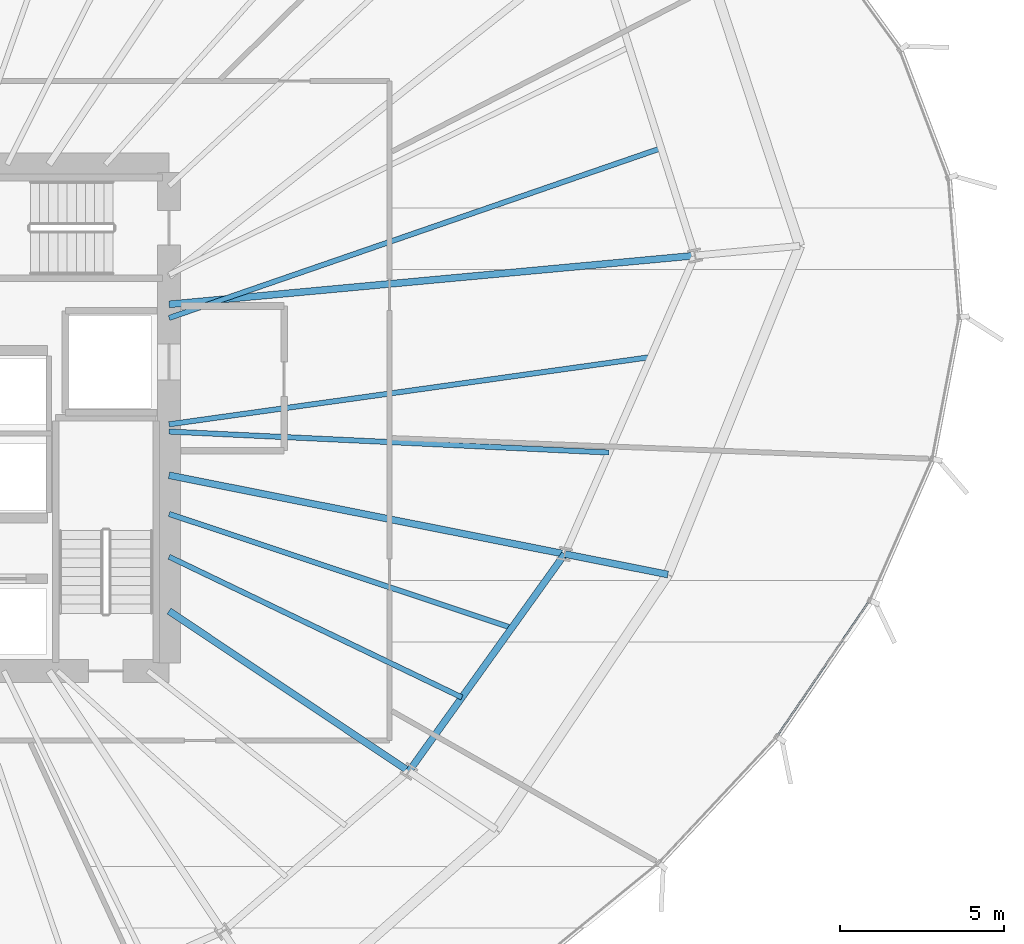
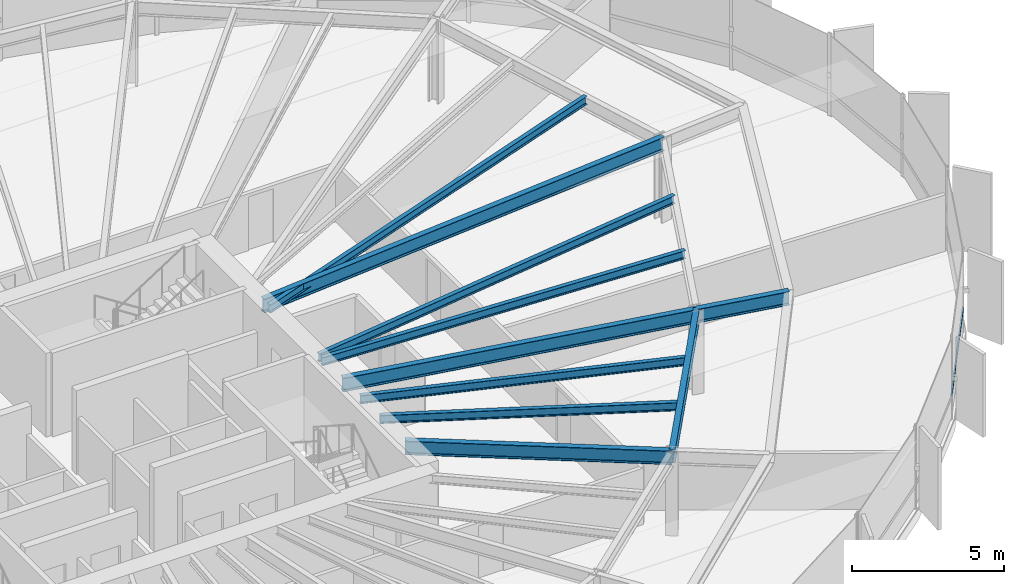
# One storey, part 14 of 35: 10 beams, 1 member, 1 element without a shape of its own.
"""IFC4 building model written with IfcOpenShell, lengths in metres."""

from ifc_helpers import new_model, si_unit, direction, frame, origin, origin_2d, place, context, subcontext, project, spatial, hollow_rectangle, i_section, extrude, source, transform, mapped, material, layer, layer_set, material_profile, profile_set, type_object, element, aggregate, save


model = new_model("IFC4")

# Units and contexts
model_context = context("Model", 3, precision=1e-05, world=origin(), true_north=direction((0.0, 1.0)))
body_context = subcontext(model_context, "Body", "Model", "MODEL_VIEW")
ifc_project = project(units=[si_unit("LENGTHUNIT", "METRE"), si_unit("AREAUNIT", "SQUARE_METRE"), si_unit("VOLUMEUNIT", "CUBIC_METRE"), si_unit("PLANEANGLEUNIT", "RADIAN"), si_unit("MASSUNIT", "GRAM", prefix="KILO"), si_unit("THERMODYNAMICTEMPERATUREUNIT", "KELVIN")], contexts=[model_context])

# Site, building, storey
site_placement = place(None, origin())
site = spatial("IfcSite", under=ifc_project, at=site_placement, CompositionType="ELEMENT")
building_placement = place(site_placement, origin())
building = spatial("IfcBuilding", under=site, at=building_placement, Name="Kethvar Cultural Tower", CompositionType="ELEMENT")
storey_placement = place(building_placement, frame((0.0, 0.0, 85.60009765625)))
storey = spatial("IfcBuildingStorey", under=building, at=storey_placement, Name="L20", CompositionType="ELEMENT", Elevation=85.60009765625)

# Beams
ifc_material_1 = material(Name="Steel S355J2", Category="steel")
ifc_material_profile_1 = material_profile(ifc_material_1, i_section(OverallWidth=0.2099609375, OverallDepth=0.550048828125, WebThickness=0.010986328125, FlangeThickness=0.01708984375, FilletRadius=0.02392578125, at=origin_2d()), Name="Steel S355J2 — IPE550")
ifc_profile_set_1 = profile_set([ifc_material_profile_1], Name="Steel S355J2 — IPE550")
beam_type_1 = type_object("IfcBeamType", Name="BM-IPE550", PredefinedType="BEAM", material=ifc_profile_set_1)
shared_shape_1 = source(origin(), body_context, "Body", "SweptSolid", [
    extrude(i_section(OverallWidth=0.2099609375, OverallDepth=0.550048828125, WebThickness=0.010986328125, FlangeThickness=0.01708984375, FilletRadius=0.02392578125, at=origin_2d()), origin(), (0.0, 0.0, 1.0), 16.071044921875),
])
beam_1_placement = place(storey_placement, frame((55.60009765625, 31.25, 3.072998046875), z_axis=(0.995731009363, 0.092302529718, 0.0), x_axis=(-0.092302529718, 0.995731009363, 0.0)))
element("IfcBeam", 1, at=beam_1_placement, inside=storey, type_object=beam_type_1, Name="L20 Primary Radial Beam RB-01", PredefinedType="BEAM", context=body_context, shape_type="MappedRepresentation", body=[
    mapped(shared_shape_1, transform((0.0, 0.0, 0.0), scale=1.0)),
])
shared_shape_2 = source(origin(), body_context, "Body", "SweptSolid", [
    extrude(i_section(OverallWidth=0.2099609375, OverallDepth=0.550048828125, WebThickness=0.010986328125, FlangeThickness=0.01708984375, FilletRadius=0.02392578125, at=origin_2d()), origin(), (0.0, 0.0, 1.0), 3.199951171875),
])
beam_2_placement = place(storey_placement, frame((67.638671875, 23.65478515625, 3.072998046875), z_axis=(0.980785550224, -0.195088965533, 0.0), x_axis=(0.195088965533, 0.980785550224, 0.0)))
element("IfcBeam", 2, at=beam_2_placement, inside=storey, type_object=beam_type_1, Name="L20 Perimeter Cantilever Beam RC-16", PredefinedType="BEAM", context=body_context, shape_type="MappedRepresentation", body=[
    mapped(shared_shape_2, transform((0.0, 0.0, 0.0), scale=1.0)),
])
shared_shape_3 = source(origin(), body_context, "Body", "SweptSolid", [
    extrude(i_section(OverallWidth=0.2099609375, OverallDepth=0.550048828125, WebThickness=0.010986328125, FlangeThickness=0.01708984375, FilletRadius=0.02392578125, at=origin_2d()), origin(), (0.0, 0.0, 1.0), 8.77783203125),
])
beam_3_placement = place(storey_placement, frame((55.60009765625, 21.919921875, 3.072998046875), z_axis=(0.831472186778, -0.555566380026, 0.0), x_axis=(0.555566380026, 0.831472186778, 0.0)))
element("IfcBeam", 3, at=beam_3_placement, inside=storey, type_object=beam_type_1, Name="L20 Primary Radial Beam RB-15", PredefinedType="BEAM", context=body_context, shape_type="MappedRepresentation", body=[
    mapped(shared_shape_3, transform((0.0, 0.0, 0.0), scale=1.0)),
])
shared_shape_4 = source(origin(), body_context, "Body", "SweptSolid", [
    extrude(i_section(OverallWidth=0.2099609375, OverallDepth=0.550048828125, WebThickness=0.010986328125, FlangeThickness=0.01708984375, FilletRadius=0.02392578125, at=origin_2d()), origin(), (0.0, 0.0, 1.0), 12.2744140625),
])
beam_4_placement = place(storey_placement, frame((55.60009765625, 26.049560546875, 3.072998046875), z_axis=(0.980782878234, -0.195102398146, 0.0), x_axis=(0.195102398146, 0.980782878234, 0.0)))
element("IfcBeam", 4, at=beam_4_placement, inside=storey, type_object=beam_type_1, Name="L20 Primary Radial Beam RB-16", PredefinedType="BEAM", context=body_context, shape_type="MappedRepresentation", body=[
    mapped(shared_shape_4, transform((0.0, 0.0, 0.0), scale=1.0)),
])
ifc_material_profile_2 = material_profile(ifc_material_1, i_section(OverallWidth=0.159912109375, OverallDepth=0.330078125, WebThickness=0.007568359375, FlangeThickness=0.011474609375, FilletRadius=0.01806640625, at=origin_2d()), Name="Steel S355J2 — IPE330")
ifc_profile_set_2 = profile_set([ifc_material_profile_2], Name="Steel S355J2 — IPE330")
beam_type_2 = type_object("IfcBeamType", Name="BM-J330", PredefinedType="JOIST", material=ifc_profile_set_2)
shared_shape_5 = source(origin(), body_context, "Body", "SweptSolid", [
    extrude(i_section(OverallWidth=0.159912109375, OverallDepth=0.330078125, WebThickness=0.007568359375, FlangeThickness=0.011474609375, FilletRadius=0.01806640625, at=origin_2d()), origin(), (0.0, 0.0, 1.0), 15.836669921875),
])
beam_5_placement = place(storey_placement, frame((55.60009765625, 30.836181640625, 3.182861328125), z_axis=(0.945315135904, 0.326158387644, 0.0), x_axis=(-0.326158387644, 0.945315135904, 0.0)))
element("IfcBeam", 5, at=beam_5_placement, inside=storey, type_object=beam_type_2, Name="L20 Composite Floor Joist J-01A", PredefinedType="JOIST", context=body_context, shape_type="MappedRepresentation", body=[
    mapped(shared_shape_5, transform((0.0, 0.0, 0.0), scale=1.0)),
])
shared_shape_6 = source(origin(), body_context, "Body", "SweptSolid", [
    extrude(i_section(OverallWidth=0.2099609375, OverallDepth=0.550048828125, WebThickness=0.010986328125, FlangeThickness=0.01708984375, FilletRadius=0.02392578125, at=origin_2d()), origin(), (0.0, 0.0, 1.0), 8.13525390625),
])
beam_6_placement = place(storey_placement, frame((62.898681640625, 17.043212890625, 3.072998046875), z_axis=(0.582656731995, 0.812718359988, 0.0), x_axis=(-0.812718359988, 0.582656731995, 0.0)))
element("IfcBeam", 6, at=beam_6_placement, inside=storey, type_object=beam_type_1, Name="L20 Column Ring Tie Beam CR-15", PredefinedType="BEAM", context=body_context, shape_type="MappedRepresentation", body=[
    mapped(shared_shape_6, transform((0.0, 0.0, 0.0), scale=1.0)),
])
shared_shape_7 = source(origin(), body_context, "Body", "SweptSolid", [
    extrude(i_section(OverallWidth=0.159912109375, OverallDepth=0.330078125, WebThickness=0.007568359375, FlangeThickness=0.011474609375, FilletRadius=0.01806640625, at=origin_2d()), origin(), (0.0, 0.0, 1.0), 9.885009765625),
])
beam_7_placement = place(storey_placement, frame((55.60009765625, 23.572021484375, 3.182861328125), z_axis=(0.901369611334, -0.43305060185, 0.0), x_axis=(0.43305060185, 0.901369611334, 0.0)))
element("IfcBeam", 7, at=beam_7_placement, inside=storey, type_object=beam_type_2, Name="L20 Composite Floor Joist J-15A", PredefinedType="JOIST", context=body_context, shape_type="MappedRepresentation", body=[
    mapped(shared_shape_7, transform((0.0, 0.0, 0.0), scale=1.0)),
])
shared_shape_8 = source(origin(), body_context, "Body", "SweptSolid", [
    extrude(i_section(OverallWidth=0.159912109375, OverallDepth=0.330078125, WebThickness=0.007568359375, FlangeThickness=0.011474609375, FilletRadius=0.01806640625, at=origin_2d()), origin(), (0.0, 0.0, 1.0), 10.98828125),
])
beam_8_placement = place(storey_placement, frame((55.60009765625, 24.8740234375, 3.182861328125), z_axis=(0.948918548228, -0.315521138481, 0.0), x_axis=(0.315521138481, 0.948918548228, 0.0)))
element("IfcBeam", 8, at=beam_8_placement, inside=storey, type_object=beam_type_2, Name="L20 Composite Floor Joist J-15B", PredefinedType="JOIST", context=body_context, shape_type="MappedRepresentation", body=[
    mapped(shared_shape_8, transform((0.0, 0.0, 0.0), scale=1.0)),
])
shared_shape_9 = source(origin(), body_context, "Body", "SweptSolid", [
    extrude(i_section(OverallWidth=0.159912109375, OverallDepth=0.330078125, WebThickness=0.007568359375, FlangeThickness=0.011474609375, FilletRadius=0.01806640625, at=origin_2d()), origin(), (0.0, 0.0, 1.0), 13.4013671875),
])
beam_9_placement = place(storey_placement, frame((55.60009765625, 27.380126953125, 3.182861328125), z_axis=(0.998864631653, -0.047638719894, 0.0), x_axis=(0.047638719894, 0.998864631653, 0.0)))
element("IfcBeam", 9, at=beam_9_placement, inside=storey, type_object=beam_type_2, Name="L20 Composite Floor Joist J-16A", PredefinedType="JOIST", context=body_context, shape_type="MappedRepresentation", body=[
    mapped(shared_shape_9, transform((0.0, 0.0, 0.0), scale=1.0)),
])
shared_shape_10 = source(origin(), body_context, "Body", "SweptSolid", [
    extrude(i_section(OverallWidth=0.159912109375, OverallDepth=0.330078125, WebThickness=0.007568359375, FlangeThickness=0.011474609375, FilletRadius=0.01806640625, at=origin_2d()), origin(), (0.0, 0.0, 1.0), 14.797119140625),
])
beam_10_placement = place(storey_placement, frame((55.60009765625, 27.60009765625, 3.182861328125), z_axis=(0.990388450305, 0.138313836986, 0.0), x_axis=(-0.138313836986, 0.990388450305, 0.0)))
element("IfcBeam", 10, at=beam_10_placement, inside=storey, type_object=beam_type_2, Name="L20 Composite Floor Joist J-16B", PredefinedType="JOIST", context=body_context, shape_type="MappedRepresentation", body=[
    mapped(shared_shape_10, transform((0.0, 0.0, 0.0), scale=1.0)),
])

# Curtain wall, member
ifc_material_2 = material(Name="Aluminium 6063-T6", Category="aluminium")
ifc_layer = layer(ifc_material_2, 0.179931640625, Name="Aluminium 6063-T6", Category="aluminium")
ifc_layer_set = layer_set([ifc_layer], Name="Aluminium 6063-T6 (180 mm)")
curtain_wall_type = type_object("IfcCurtainWallType", Name="CW-SYS-03-Z2", PredefinedType="NOTDEFINED", material=ifc_layer_set)
curtain_wall_placement = place(storey_placement, origin())
curtain_wall = element("IfcCurtainWall", 11, at=curtain_wall_placement, inside=storey, type_object=curtain_wall_type, Name="L20 Curtain Wall Run 06", PredefinedType="NOTDEFINED")
ifc_material_profile_3 = material_profile(ifc_material_2, hollow_rectangle(XDim=0.054931640625, YDim=0.1201171875, WallThickness=0.00390625, at=origin_2d()), Name="Aluminium 6063-T6 — RHS120x55x4")
ifc_profile_set_3 = profile_set([ifc_material_profile_3], Name="Aluminium 6063-T6 — RHS120x55x4")
member_type = type_object("IfcMemberType", Name="CW-SYS-03-Z2-TRN", PredefinedType="USERDEFINED", material=ifc_profile_set_3)
shared_shape_11 = source(origin(), body_context, "Body", "SweptSolid", [
    extrude(hollow_rectangle(XDim=0.054931640625, YDim=0.1201171875, WallThickness=0.00390625, at=origin_2d()), origin(), (0.0, 0.0, 1.0), 4.952880859375),
])
member_placement = place(storey_placement, frame((74.1123046875, 18.135009765625, 0.949951171875), z_axis=(0.563372003764, 0.826203355945, 0.0), x_axis=(-0.826203355945, 0.563372003764, 0.0)))
member = element("IfcMember", 12, at=member_placement, type_object=member_type, Name="CW-L20-R06 Transom 3", ObjectType="TRANSOM", PredefinedType="USERDEFINED", context=body_context, shape_type="MappedRepresentation", body=[
    mapped(shared_shape_11, transform((0.0, 0.0, 0.0), scale=1.0)),
])
aggregate(curtain_wall, [member])

save(model, "model.ifc")
